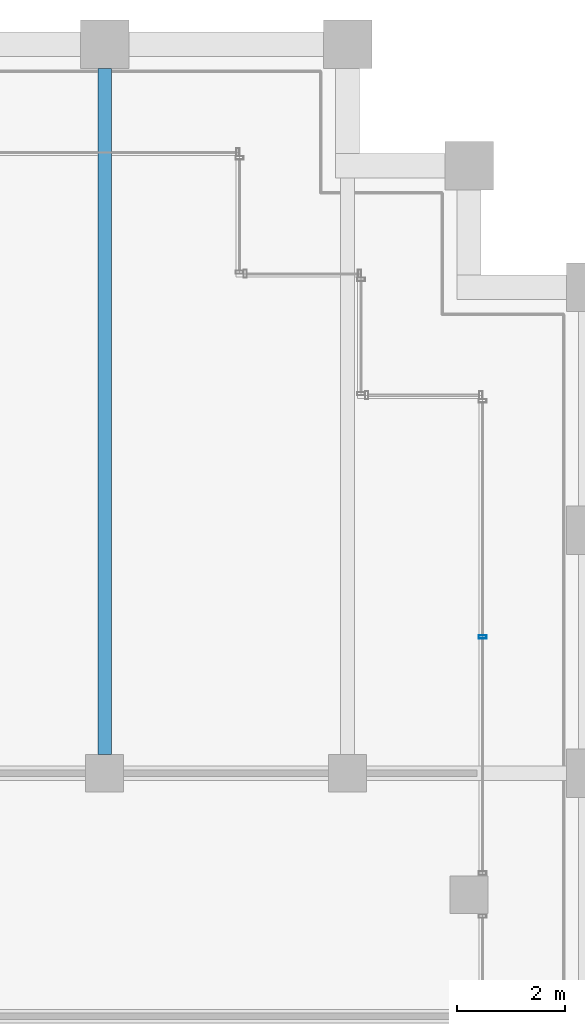
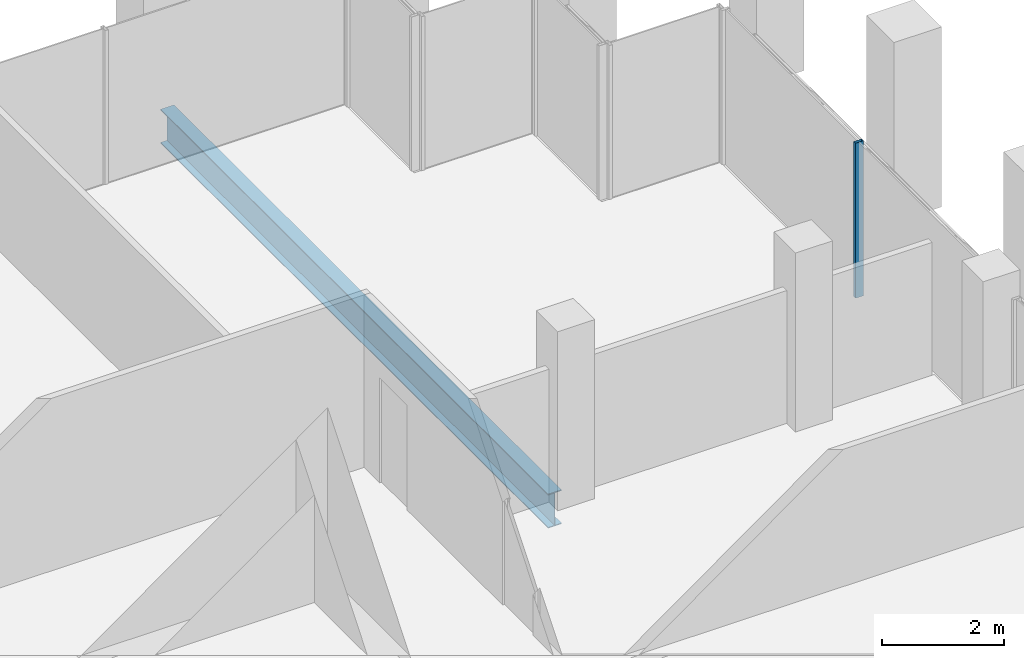
# One storey, part 24 of 40: 1 beam, 1 member, 1 element without a shape of its own.
"""IFC4 building model written with IfcOpenShell, lengths in metres."""

from ifc_helpers import new_model, si_unit, direction, frame, origin, origin_2d, place, context, subcontext, project, spatial, hollow_rectangle, i_section, extrude, material, material_profile, profile_set, type_object, element, aggregate, save


model = new_model("IFC4")

# Units and contexts
model_context = context("Model", 3, precision=1e-05, world=origin(), true_north=direction((0.0, 1.0)))
body_context = subcontext(model_context, "Body", "Model", "MODEL_VIEW")
ifc_project = project(units=[si_unit("LENGTHUNIT", "METRE"), si_unit("AREAUNIT", "SQUARE_METRE"), si_unit("VOLUMEUNIT", "CUBIC_METRE"), si_unit("PLANEANGLEUNIT", "RADIAN"), si_unit("MASSUNIT", "GRAM", prefix="KILO")], contexts=[model_context])

# Site, building, storey
site_placement = place(None, origin())
site = spatial("IfcSite", under=ifc_project, at=site_placement, CompositionType="ELEMENT")
building_placement = place(site_placement, origin())
building = spatial("IfcBuilding", under=site, at=building_placement, Name="Altepetl Exchange Towers", CompositionType="ELEMENT")
storey_placement = place(building_placement, frame((0.0, 0.0, 147.39990234375)))
storey = spatial("IfcBuildingStorey", under=building, at=storey_placement, Name="L36", CompositionType="ELEMENT", Elevation=147.39990234375)

# Beam
ifc_material_1 = material(Name="Steel S355", Category="steel")
ifc_material_profile_1 = material_profile(ifc_material_1, i_section(OverallWidth=0.25390625, OverallDepth=0.68408203125, WebThickness=0.012451171875, FlangeThickness=0.018798828125, at=origin_2d()), Name="W27X94")
ifc_profile_set_1 = profile_set([ifc_material_profile_1], Name="Steel S355")
beam_type = type_object("IfcBeamType", Name="Floor beam W27X94", PredefinedType="BEAM", material=ifc_profile_set_1)
beam_placement = place(storey_placement, frame((63.0, 58.85009765625, -0.491943359375), z_axis=(0.0, 1.0, 0.0), x_axis=(-1.0, 0.0, 0.0)))
element("IfcBeam", 1, at=beam_placement, inside=storey, type_object=beam_type, Name="bm:A:L36:004", PredefinedType="BEAM", context=body_context, shape_type="SweptSolid", body=[
    extrude(i_section(OverallWidth=0.25390625, OverallDepth=0.68408203125, WebThickness=0.012451171875, FlangeThickness=0.018798828125, at=origin_2d()), origin(), (0.0, 0.0, 1.0), 12.699951171875),
])

# Curtain wall, member
ifc_material_2 = material(Name="Aluminium 6063-T6 glazing", Category="aluminium")
curtain_wall_type = type_object("IfcCurtainWallType", Name="Loggia glazing system", PredefinedType="NOTDEFINED", material=ifc_material_2)
curtain_wall_placement = place(storey_placement, origin())
curtain_wall = element("IfcCurtainWall", 2, at=curtain_wall_placement, inside=storey, type_object=curtain_wall_type, Name="CW1 run", PredefinedType="NOTDEFINED")
ifc_material_3 = material(Name="Aluminium 6063-T6", Category="aluminium")
ifc_material_profile_2 = material_profile(ifc_material_3, hollow_rectangle(XDim=0.06005859375, YDim=0.14990234375, WallThickness=0.0029296875, at=origin_2d()), Name="Mullion 60x150 aluminium")
ifc_profile_set_2 = profile_set([ifc_material_profile_2], Name="Aluminium 6063-T6")
member_type = type_object("IfcMemberType", Name="Mullion 60x150 aluminium", PredefinedType="MULLION", material=ifc_profile_set_2)
member_placement = place(storey_placement, frame((70.0, 61.0224609375, 0.0), z_axis=(0.0, 0.0, 1.0), x_axis=(0.0, 1.0, 0.0)))
member = element("IfcMember", 3, at=member_placement, type_object=member_type, Name="MU1 mullion", PredefinedType="MULLION", context=body_context, shape_type="SweptSolid", body=[
    extrude(hollow_rectangle(XDim=0.06005859375, YDim=0.14990234375, WallThickness=0.0029296875, at=origin_2d()), origin(), (0.0, 0.0, 1.0), 3.10009765625),
])
aggregate(curtain_wall, [member])

save(model, "model.ifc")
